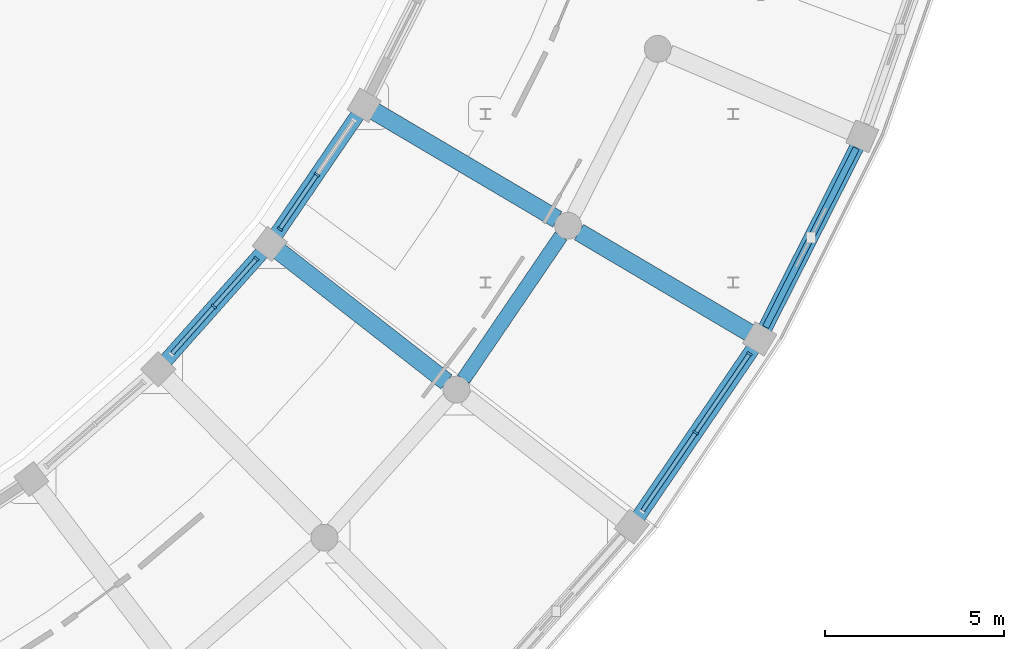
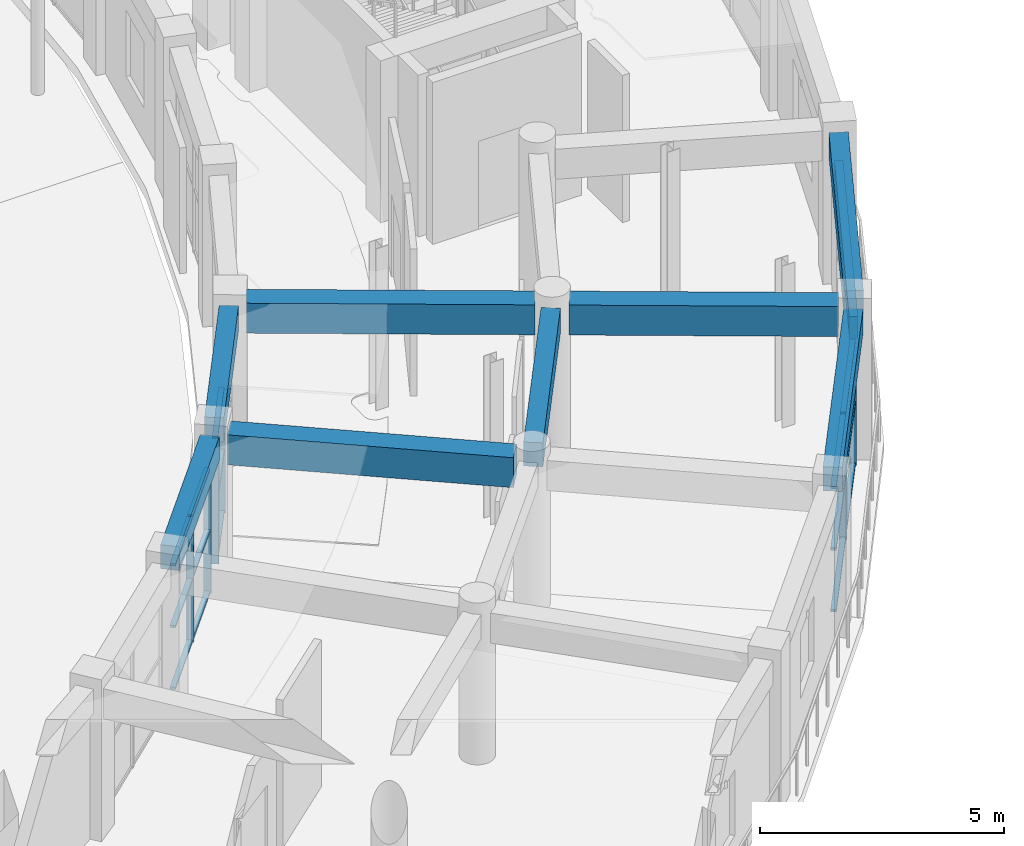
# One storey, part 24 of 87: 22 members, 8 beams, 3 elements without a shape of their own.
"""IFC4 building model written with IfcOpenShell, lengths in metres."""

from ifc_helpers import new_model, si_unit, direction, frame, origin, origin_2d, place, context, subcontext, project, spatial, rectangle, extrude, material, material_profile, profile_set, type_object, element, aggregate, save


model = new_model("IFC4")

# Units and contexts
model_context = context("Model", 3, precision=1e-05, world=origin(), true_north=direction((0.0, 1.0)))
body_context = subcontext(model_context, "Body", "Model", "MODEL_VIEW")
ifc_project = project(units=[si_unit("LENGTHUNIT", "METRE"), si_unit("AREAUNIT", "SQUARE_METRE"), si_unit("VOLUMEUNIT", "CUBIC_METRE"), si_unit("PLANEANGLEUNIT", "RADIAN"), si_unit("MASSUNIT", "GRAM", prefix="KILO")], contexts=[model_context])

# Site, building, storey
site_placement = place(None, origin())
site = spatial("IfcSite", under=ifc_project, at=site_placement, CompositionType="ELEMENT")
building_placement = place(site_placement, origin())
building = spatial("IfcBuilding", under=site, at=building_placement, Name="Saryqyr Civic Hall", CompositionType="ELEMENT")
storey_placement = place(building_placement, frame((0.0, 0.0, 5.10009765625)))
storey = spatial("IfcBuildingStorey", under=building, at=storey_placement, Name="L01", CompositionType="ELEMENT", Elevation=5.10009765625)

# Curtain wall, members
ifc_material_1 = material(Name="Anodised aluminium and triple low-E glass", Category="aluminium")
curtain_wall_type_1 = type_object("IfcCurtainWallType", Name="ENV-CW-STD-37", PredefinedType="NOTDEFINED", material=ifc_material_1)
curtain_wall_1_placement = place(storey_placement, origin())
curtain_wall_1 = element("IfcCurtainWall", 1, at=curtain_wall_1_placement, inside=storey, type_object=curtain_wall_type_1, Name="Curtain wall V5-CWI-L01-04", PredefinedType="NOTDEFINED")
ifc_material_2 = material(Name="Anodised aluminium", Category="aluminium")
ifc_material_profile_1 = material_profile(ifc_material_2, rectangle(XDim=0.06005859375, YDim=0.159912109375, at=origin_2d()), Name="ALU MULLION 60x160")
ifc_profile_set_1 = profile_set([ifc_material_profile_1], Name="Anodised aluminium")
member_type_1 = type_object("IfcMemberType", Name="ENV-CW-MUL-180", PredefinedType="MULLION", material=ifc_profile_set_1)
member_1_placement = place(storey_placement, frame((83.981201171875, 59.9794921875, 0.0), z_axis=(0.0, 0.0, 1.0), x_axis=(0.664938004684, 0.746898553973, 0.0)))
member_1 = element("IfcMember", 2, at=member_1_placement, type_object=member_type_1, Name="CW-37 mullion 2", PredefinedType="MULLION", context=body_context, shape_type="SweptSolid", body=[
    extrude(rectangle(XDim=0.06005859375, YDim=0.159912109375, at=origin_2d()), origin(), (0.0, 0.0, 1.0), 3.14501953125),
])
member_2_placement = place(storey_placement, frame((85.16845703125, 61.31298828125, 0.0), z_axis=(0.0, 0.0, 1.0), x_axis=(0.664938004684, 0.746898553973, 0.0)))
member_2 = element("IfcMember", 3, at=member_2_placement, type_object=member_type_1, Name="CW-37 mullion 3", PredefinedType="MULLION", context=body_context, shape_type="SweptSolid", body=[
    extrude(rectangle(XDim=0.06005859375, YDim=0.159912109375, at=origin_2d()), origin(), (0.0, 0.0, 1.0), 3.14501953125),
])

curtain_wall_type_2 = type_object("IfcCurtainWallType", Name="ENV-CW-STD-36", PredefinedType="NOTDEFINED", material=ifc_material_1)
curtain_wall_2_placement = place(storey_placement, origin())
curtain_wall_2 = element("IfcCurtainWall", 4, at=curtain_wall_2_placement, inside=storey, type_object=curtain_wall_type_2, Name="Curtain wall V5-CWO-L01-05", PredefinedType="NOTDEFINED")
member_3_placement = place(storey_placement, frame((98.90673828125, 58.664306640625, 0.0), z_axis=(0.0, 0.0, 1.0), x_axis=(-0.563110329158, -0.826381726078, 0.0)))
member_3 = element("IfcMember", 5, at=member_3_placement, type_object=member_type_1, Name="CW-36 mullion 1", PredefinedType="MULLION", context=body_context, shape_type="SweptSolid", body=[
    extrude(rectangle(XDim=0.06005859375, YDim=0.159912109375, at=origin_2d()), origin(), (0.0, 0.0, 1.0), 3.14501953125),
])
member_4_placement = place(storey_placement, frame((97.407470703125, 56.46435546875, 0.0), z_axis=(0.0, 0.0, 1.0), x_axis=(-0.563110329158, -0.826381726078, 0.0)))
member_4 = element("IfcMember", 6, at=member_4_placement, type_object=member_type_1, Name="CW-36 mullion 2", PredefinedType="MULLION", context=body_context, shape_type="SweptSolid", body=[
    extrude(rectangle(XDim=0.06005859375, YDim=0.159912109375, at=origin_2d()), origin(), (0.0, 0.0, 1.0), 3.14501953125),
])

curtain_wall_type_3 = type_object("IfcCurtainWallType", Name="ENV-CW-STD-18", PredefinedType="NOTDEFINED", material=ifc_material_1)
curtain_wall_3_placement = place(storey_placement, origin())
curtain_wall_3 = element("IfcCurtainWall", 7, at=curtain_wall_3_placement, inside=storey, type_object=curtain_wall_type_3, Name="Curtain wall V5-CWI-L01-05", PredefinedType="NOTDEFINED")
member_5_placement = place(storey_placement, frame((85.818359375, 62.140380859375, 0.0), z_axis=(0.0, 0.0, 1.0), x_axis=(0.563119759928, 0.826375299715, 0.0)))
member_5 = element("IfcMember", 8, at=member_5_placement, type_object=member_type_1, Name="CW-18 mullion 1", PredefinedType="MULLION", context=body_context, shape_type="SweptSolid", body=[
    extrude(rectangle(XDim=0.06005859375, YDim=0.159912109375, at=origin_2d()), origin(), (0.0, 0.0, 1.0), 3.14501953125),
])
member_6_placement = place(storey_placement, frame((86.85205078125, 63.6572265625, 0.0), z_axis=(0.0, 0.0, 1.0), x_axis=(0.563119759928, 0.826375299715, 0.0)))
member_6 = element("IfcMember", 9, at=member_6_placement, type_object=member_type_1, Name="CW-18 mullion 2", PredefinedType="MULLION", context=body_context, shape_type="SweptSolid", body=[
    extrude(rectangle(XDim=0.06005859375, YDim=0.159912109375, at=origin_2d()), origin(), (0.0, 0.0, 1.0), 3.14501953125),
])

# Member
ifc_material_profile_2 = material_profile(ifc_material_2, rectangle(XDim=0.1201171875, YDim=0.06005859375, at=origin_2d()), Name="ALU TRANSOM 120x60")
ifc_profile_set_2 = profile_set([ifc_material_profile_2], Name="Anodised aluminium")
member_type_2 = type_object("IfcMemberType", Name="ENV-CW-TRN-150", PredefinedType="USERDEFINED", material=ifc_profile_set_2)
member_7_placement = place(storey_placement, frame((82.81396484375, 58.668212890625, 0.02978515625), z_axis=(0.664960774248, 0.746878282394, 0.0), x_axis=(-0.746878282394, 0.664960774248, 0.0)))
member_7 = element("IfcMember", 10, at=member_7_placement, type_object=member_type_2, Name="CW-37 transom 1.1", ObjectType="TRANSOM", PredefinedType="USERDEFINED", context=body_context, shape_type="SweptSolid", body=[
    extrude(rectangle(XDim=0.1201171875, YDim=0.06005859375, at=origin_2d()), origin(), (0.0, 0.0, 1.0), 1.7255859375),
])

member_8_placement = place(storey_placement, frame((82.81396484375, 58.668212890625, 1.572021484375), z_axis=(0.664960774248, 0.746878282394, 0.0), x_axis=(-0.746878282394, 0.664960774248, 0.0)))
member_8 = element("IfcMember", 11, at=member_8_placement, type_object=member_type_2, Name="CW-37 transom 1.2", ObjectType="TRANSOM", PredefinedType="USERDEFINED", context=body_context, shape_type="SweptSolid", body=[
    extrude(rectangle(XDim=0.1201171875, YDim=0.06005859375, at=origin_2d()), origin(), (0.0, 0.0, 1.0), 1.7255859375),
])

member_9_placement = place(storey_placement, frame((82.81396484375, 58.668212890625, 3.114990234375), z_axis=(0.664960774248, 0.746878282394, 0.0), x_axis=(-0.746878282394, 0.664960774248, 0.0)))
member_9 = element("IfcMember", 12, at=member_9_placement, type_object=member_type_2, Name="CW-37 transom 1.3", ObjectType="TRANSOM", PredefinedType="USERDEFINED", context=body_context, shape_type="SweptSolid", body=[
    extrude(rectangle(XDim=0.1201171875, YDim=0.06005859375, at=origin_2d()), origin(), (0.0, 0.0, 1.0), 1.7255859375),
])

member_10_placement = place(storey_placement, frame((84.001220703125, 60.001953125, 0.02978515625), z_axis=(0.664960774248, 0.746878282394, 0.0), x_axis=(-0.746878282394, 0.664960774248, 0.0)))
member_10 = element("IfcMember", 13, at=member_10_placement, type_object=member_type_2, Name="CW-37 transom 2.1", ObjectType="TRANSOM", PredefinedType="USERDEFINED", context=body_context, shape_type="SweptSolid", body=[
    extrude(rectangle(XDim=0.1201171875, YDim=0.06005859375, at=origin_2d()), origin(), (0.0, 0.0, 1.0), 1.7255859375),
])

member_11_placement = place(storey_placement, frame((84.001220703125, 60.001953125, 1.572021484375), z_axis=(0.664960774248, 0.746878282394, 0.0), x_axis=(-0.746878282394, 0.664960774248, 0.0)))
member_11 = element("IfcMember", 14, at=member_11_placement, type_object=member_type_2, Name="CW-37 transom 2.2", ObjectType="TRANSOM", PredefinedType="USERDEFINED", context=body_context, shape_type="SweptSolid", body=[
    extrude(rectangle(XDim=0.1201171875, YDim=0.06005859375, at=origin_2d()), origin(), (0.0, 0.0, 1.0), 1.7255859375),
])

member_12_placement = place(storey_placement, frame((84.001220703125, 60.001953125, 3.114990234375), z_axis=(0.664960774248, 0.746878282394, 0.0), x_axis=(-0.746878282394, 0.664960774248, 0.0)))
member_12 = element("IfcMember", 15, at=member_12_placement, type_object=member_type_2, Name="CW-37 transom 2.3", ObjectType="TRANSOM", PredefinedType="USERDEFINED", context=body_context, shape_type="SweptSolid", body=[
    extrude(rectangle(XDim=0.1201171875, YDim=0.06005859375, at=origin_2d()), origin(), (0.0, 0.0, 1.0), 1.7255859375),
])

aggregate(curtain_wall_1, [member_1, member_2, member_7, member_8, member_9, member_10, member_11, member_12])

member_13_placement = place(storey_placement, frame((98.889892578125, 58.639404296875, 0.02978515625), z_axis=(-0.563115550221, -0.826378168334, 0.0), x_axis=(0.826378168334, -0.563115550221, 0.0)))
member_13 = element("IfcMember", 16, at=member_13_placement, type_object=member_type_2, Name="CW-36 transom 1.1", ObjectType="TRANSOM", PredefinedType="USERDEFINED", context=body_context, shape_type="SweptSolid", body=[
    extrude(rectangle(XDim=0.1201171875, YDim=0.06005859375, at=origin_2d()), origin(), (0.0, 0.0, 1.0), 2.602294921875),
])

member_14_placement = place(storey_placement, frame((98.889892578125, 58.639404296875, 1.572021484375), z_axis=(-0.563115550221, -0.826378168334, 0.0), x_axis=(0.826378168334, -0.563115550221, 0.0)))
member_14 = element("IfcMember", 17, at=member_14_placement, type_object=member_type_2, Name="CW-36 transom 1.2", ObjectType="TRANSOM", PredefinedType="USERDEFINED", context=body_context, shape_type="SweptSolid", body=[
    extrude(rectangle(XDim=0.1201171875, YDim=0.06005859375, at=origin_2d()), origin(), (0.0, 0.0, 1.0), 2.602294921875),
])

member_15_placement = place(storey_placement, frame((98.889892578125, 58.639404296875, 3.114990234375), z_axis=(-0.563115550221, -0.826378168334, 0.0), x_axis=(0.826378168334, -0.563115550221, 0.0)))
member_15 = element("IfcMember", 18, at=member_15_placement, type_object=member_type_2, Name="CW-36 transom 1.3", ObjectType="TRANSOM", PredefinedType="USERDEFINED", context=body_context, shape_type="SweptSolid", body=[
    extrude(rectangle(XDim=0.1201171875, YDim=0.06005859375, at=origin_2d()), origin(), (0.0, 0.0, 1.0), 2.602294921875),
])

member_16_placement = place(storey_placement, frame((97.390625, 56.439453125, 0.02978515625), z_axis=(-0.563115550221, -0.826378168334, 0.0), x_axis=(0.826378168334, -0.563115550221, 0.0)))
member_16 = element("IfcMember", 19, at=member_16_placement, type_object=member_type_2, Name="CW-36 transom 2.1", ObjectType="TRANSOM", PredefinedType="USERDEFINED", context=body_context, shape_type="SweptSolid", body=[
    extrude(rectangle(XDim=0.1201171875, YDim=0.06005859375, at=origin_2d()), origin(), (0.0, 0.0, 1.0), 2.602294921875),
])

member_17_placement = place(storey_placement, frame((97.390625, 56.439453125, 1.572021484375), z_axis=(-0.563115550221, -0.826378168334, 0.0), x_axis=(0.826378168334, -0.563115550221, 0.0)))
member_17 = element("IfcMember", 20, at=member_17_placement, type_object=member_type_2, Name="CW-36 transom 2.2", ObjectType="TRANSOM", PredefinedType="USERDEFINED", context=body_context, shape_type="SweptSolid", body=[
    extrude(rectangle(XDim=0.1201171875, YDim=0.06005859375, at=origin_2d()), origin(), (0.0, 0.0, 1.0), 2.602294921875),
])

member_18_placement = place(storey_placement, frame((97.390625, 56.439453125, 3.114990234375), z_axis=(-0.563115550221, -0.826378168334, 0.0), x_axis=(0.826378168334, -0.563115550221, 0.0)))
member_18 = element("IfcMember", 21, at=member_18_placement, type_object=member_type_2, Name="CW-36 transom 2.3", ObjectType="TRANSOM", PredefinedType="USERDEFINED", context=body_context, shape_type="SweptSolid", body=[
    extrude(rectangle(XDim=0.1201171875, YDim=0.06005859375, at=origin_2d()), origin(), (0.0, 0.0, 1.0), 2.602294921875),
])

aggregate(curtain_wall_2, [member_3, member_4, member_13, member_14, member_15, member_16, member_17, member_18])

member_19_placement = place(storey_placement, frame((85.835205078125, 62.1650390625, 0.02978515625), z_axis=(0.56311071105, 0.82638146585, 0.0), x_axis=(-0.82638146585, 0.56311071105, 0.0)))
member_19 = element("IfcMember", 22, at=member_19_placement, type_object=member_type_2, Name="CW-18 transom 1.1", ObjectType="TRANSOM", PredefinedType="USERDEFINED", context=body_context, shape_type="SweptSolid", body=[
    extrude(rectangle(XDim=0.1201171875, YDim=0.06005859375, at=origin_2d()), origin(), (0.0, 0.0, 1.0), 1.77587890625),
])

member_20_placement = place(storey_placement, frame((85.835205078125, 62.1650390625, 1.572021484375), z_axis=(0.56311071105, 0.82638146585, 0.0), x_axis=(-0.82638146585, 0.56311071105, 0.0)))
member_20 = element("IfcMember", 23, at=member_20_placement, type_object=member_type_2, Name="CW-18 transom 1.2", ObjectType="TRANSOM", PredefinedType="USERDEFINED", context=body_context, shape_type="SweptSolid", body=[
    extrude(rectangle(XDim=0.1201171875, YDim=0.06005859375, at=origin_2d()), origin(), (0.0, 0.0, 1.0), 1.77587890625),
])

member_21_placement = place(storey_placement, frame((85.835205078125, 62.1650390625, 3.114990234375), z_axis=(0.56311071105, 0.82638146585, 0.0), x_axis=(-0.82638146585, 0.56311071105, 0.0)))
member_21 = element("IfcMember", 24, at=member_21_placement, type_object=member_type_2, Name="CW-18 transom 1.3", ObjectType="TRANSOM", PredefinedType="USERDEFINED", context=body_context, shape_type="SweptSolid", body=[
    extrude(rectangle(XDim=0.1201171875, YDim=0.06005859375, at=origin_2d()), origin(), (0.0, 0.0, 1.0), 1.77587890625),
])

aggregate(curtain_wall_3, [member_5, member_6, member_19, member_20, member_21])

ifc_material_3 = material(Name="Precast concrete C40/50", Category="concrete")
ifc_material_profile_3 = material_profile(ifc_material_3, rectangle(XDim=0.179931640625, YDim=0.550048828125, at=origin_2d()), Name="PC FIN 180x550")
ifc_profile_set_3 = profile_set([ifc_material_profile_3], Name="Precast concrete C40/50")
member_type_3 = type_object("IfcMemberType", Name="ENV-FIN-PC550", PredefinedType="USERDEFINED", material=ifc_profile_set_3)
member_22_placement = place(storey_placement, frame((99.355712890625, 59.407470703125, 2.81982421875), z_axis=(0.451939780727, 0.89204844857, 0.0), x_axis=(-0.89204844857, 0.451939780727, 0.0)))
element("IfcMember", 25, at=member_22_placement, inside=storey, type_object=member_type_3, Name="Precast horizontal solar brise-soleil fin V5-L01-06", ObjectType="SOLAR_FIN", PredefinedType="USERDEFINED", context=body_context, shape_type="SweptSolid", body=[
    extrude(rectangle(XDim=0.179931640625, YDim=0.550048828125, at=origin_2d()), origin(), (0.0, 0.0, 1.0), 5.59228515625),
])

# Beams
ifc_material_4 = material(Name="Concrete C35/45", Category="concrete")
ifc_material_profile_4 = material_profile(ifc_material_4, rectangle(XDim=0.39990234375, YDim=0.60009765625, at=origin_2d()), Name="RC 400x600")
ifc_profile_set_4 = profile_set([ifc_material_profile_4], Name="Concrete C35/45")
beam_type_1 = type_object("IfcBeamType", Name="STR-BM-RC400x600", PredefinedType="BEAM", material=ifc_profile_set_4)
beam_1_placement = place(storey_placement, frame((90.935546875, 57.95361328125, 3.469970703125), z_axis=(0.563109268965, 0.82638244851, 0.0), x_axis=(-0.82638244851, 0.563109268965, 0.0)))
element("IfcBeam", 26, at=beam_1_placement, inside=storey, type_object=beam_type_1, Name="Beam V5-CBM-MID05-L01", PredefinedType="BEAM", context=body_context, shape_type="SweptSolid", body=[
    extrude(rectangle(XDim=0.39990234375, YDim=0.60009765625, at=origin_2d()), origin(), (0.0, 0.0, 1.0), 4.82763671875),
])
ifc_material_profile_5 = material_profile(ifc_material_4, rectangle(XDim=0.39990234375, YDim=0.60009765625, at=origin_2d()), Name="RC 400x600")
ifc_profile_set_5 = profile_set([ifc_material_profile_5], Name="Concrete C35/45")
beam_type_2 = type_object("IfcBeamType", Name="STR-BM-RC400x600-EXT", PredefinedType="BEAM", material=ifc_profile_set_5)
beam_2_placement = place(storey_placement, frame((82.64306640625, 58.476318359375, 3.469970703125), z_axis=(0.664917044926, 0.746917213195, 0.0), x_axis=(-0.746917213195, 0.664917044926, 0.0)))
element("IfcBeam", 27, at=beam_2_placement, inside=storey, type_object=beam_type_2, Name="Beam V5-CBM-IN04-L01", PredefinedType="BEAM", context=body_context, shape_type="SweptSolid", body=[
    extrude(rectangle(XDim=0.39990234375, YDim=0.60009765625, at=origin_2d()), origin(), (0.0, 0.0, 1.0), 4.025390625),
])
beam_3_placement = place(storey_placement, frame((85.71875, 61.994140625, 3.469970703125), z_axis=(0.563167427949, 0.826342815118, 0.0), x_axis=(-0.826342815118, 0.563167427949, 0.0)))
element("IfcBeam", 28, at=beam_3_placement, inside=storey, type_object=beam_type_2, Name="Beam V5-CBM-IN05-L01", PredefinedType="BEAM", context=body_context, shape_type="SweptSolid", body=[
    extrude(rectangle(XDim=0.39990234375, YDim=0.60009765625, at=origin_2d()), origin(), (0.0, 0.0, 1.0), 4.025146484375),
])
for number, where, z_axis, x_axis, name in (
    (29, (95.80859375, 54.117919921875, 3.469970703125), (0.563124690211, 0.826371940033, 0.0), (-0.826371940033, 0.563124690211, 0.0), "Beam V5-CBM-OUT05-L01"),
    (30, (99.336181640625, 59.368896484375, 3.469970703125), (0.451936512464, 0.892050104367, 0.0), (-0.892050104367, 0.451936512464, 0.0), "Beam V5-CBM-OUT06-L01"),
):
    element("IfcBeam", number, at=place(storey_placement, frame(where, z_axis=z_axis, x_axis=x_axis)), inside=storey, type_object=beam_type_2, Name=name, PredefinedType="BEAM", context=body_context, shape_type="SweptSolid", body=[
        extrude(rectangle(XDim=0.39990234375, YDim=0.60009765625, at=origin_2d()), origin(), (0.0, 0.0, 1.0), 5.6787109375),
    ])
ifc_material_5 = material(Name="Concrete C40/50", Category="concrete")
ifc_material_profile_6 = material_profile(ifc_material_5, rectangle(XDim=0.5, YDim=0.75, at=origin_2d()), Name="RC 500x750")
ifc_profile_set_6 = profile_set([ifc_material_profile_6], Name="Concrete C40/50")
beam_type_3 = type_object("IfcBeamType", Name="STR-BM-RC500x750", PredefinedType="BEAM", material=ifc_profile_set_6)
beam_4_placement = place(storey_placement, frame((85.7919921875, 61.525390625, 3.39501953125), z_axis=(0.78829043402, -0.615303333026, 0.0), x_axis=(0.615303333026, 0.78829043402, 0.0)))
element("IfcBeam", 31, at=beam_4_placement, inside=storey, type_object=beam_type_3, Name="Beam V5-RBM-A05-L01", PredefinedType="BEAM", context=body_context, shape_type="SweptSolid", body=[
    extrude(rectangle(XDim=0.5, YDim=0.75, at=origin_2d()), origin(), (0.0, 0.0, 1.0), 5.9248046875),
])
beam_5_placement = place(storey_placement, frame((88.4482421875, 65.423583984375, 3.39501953125), z_axis=(0.861028230943, -0.508557160523, 0.0), x_axis=(0.508557160523, 0.861028230943, 0.0)))
element("IfcBeam", 32, at=beam_5_placement, inside=storey, type_object=beam_type_3, Name="Beam V5-RBM-A06-L01", PredefinedType="BEAM", context=body_context, shape_type="SweptSolid", body=[
    extrude(rectangle(XDim=0.5, YDim=0.75, at=origin_2d()), origin(), (0.0, 0.0, 1.0), 5.925048828125),
])
beam_6_placement = place(storey_placement, frame((94.152587890625, 62.05419921875, 3.39501953125), z_axis=(0.86102064327, -0.508570006846, 0.0), x_axis=(0.508570006846, 0.86102064327, 0.0)))
element("IfcBeam", 33, at=beam_6_placement, inside=storey, type_object=beam_type_3, Name="Beam V5-RBM-B06-L01", PredefinedType="BEAM", context=body_context, shape_type="SweptSolid", body=[
    extrude(rectangle(XDim=0.5, YDim=0.75, at=origin_2d()), origin(), (0.0, 0.0, 1.0), 5.52490234375),
])

save(model, "model.ifc")
